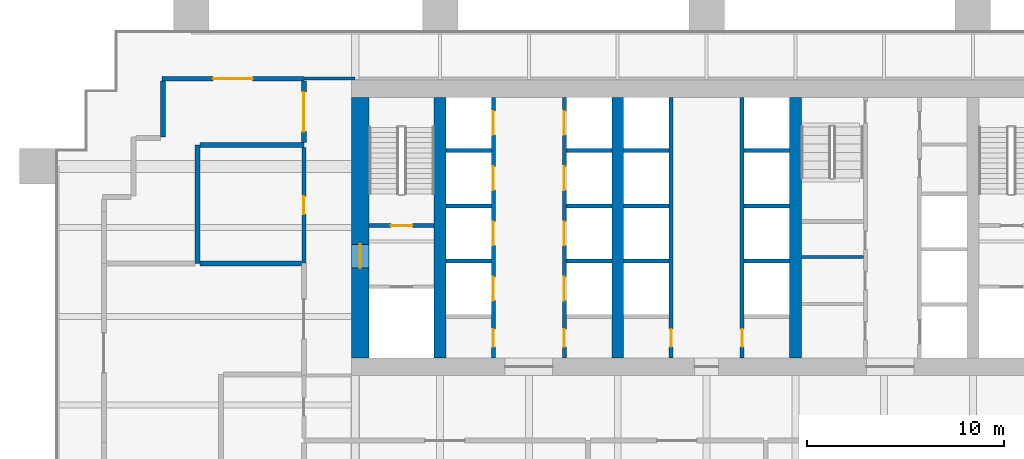
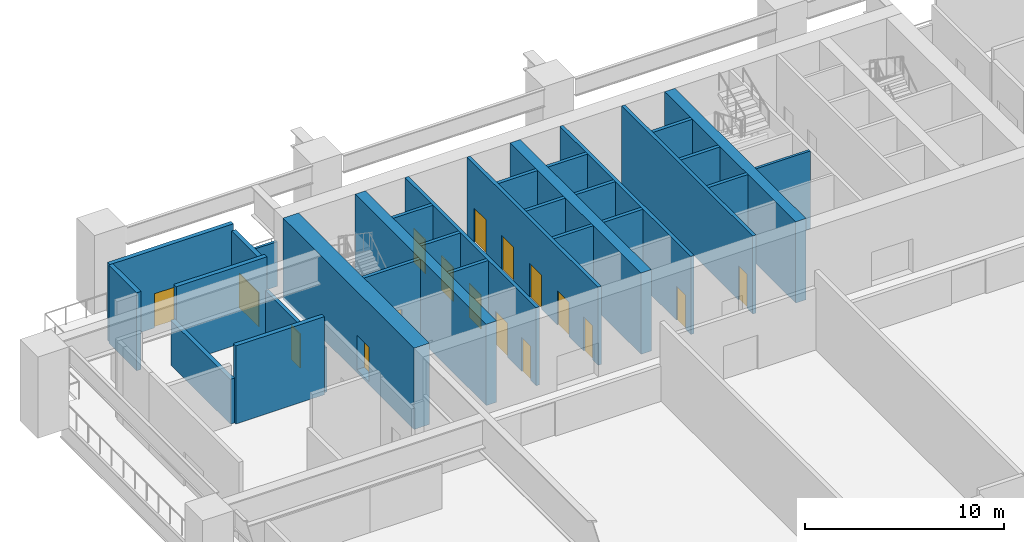
# One storey, part 4 of 11: 30 walls, 17 doors, 17 openings.
"""IFC4 building model written with IfcOpenShell, lengths in metres."""

from ifc_helpers import new_model, si_unit, direction, frame, frame_2d, origin, place, context, subcontext, project, spatial, rectangle, extrude, material, layer, layer_set, type_object, element, fill, save


model = new_model("IFC4")

# Units and contexts
model_context = context("Model", 3, precision=1e-05, world=origin(), true_north=direction((0.0, 1.0)))
body_context = subcontext(model_context, "Body", "Model", "MODEL_VIEW")
ifc_project = project(units=[si_unit("LENGTHUNIT", "METRE"), si_unit("AREAUNIT", "SQUARE_METRE"), si_unit("VOLUMEUNIT", "CUBIC_METRE"), si_unit("PLANEANGLEUNIT", "RADIAN"), si_unit("MASSUNIT", "GRAM", prefix="KILO")], contexts=[model_context])

# Site, building, storey
site_placement = place(None, origin())
site = spatial("IfcSite", under=ifc_project, at=site_placement, CompositionType="ELEMENT")
building_placement = place(site_placement, origin())
building = spatial("IfcBuilding", under=site, at=building_placement, Name="Rattan Terrace Tower", CompositionType="ELEMENT")
storey_placement = place(building_placement, frame((0.0, 0.0, 69.300048828125)))
storey = spatial("IfcBuildingStorey", under=building, at=storey_placement, Name="L15", CompositionType="ELEMENT", Elevation=69.300048828125)

# Wall
ifc_material_1 = material(Name="Gypsum board partition")
ifc_layer_1 = layer(ifc_material_1, 0.14990234375)
ifc_layer_set_1 = layer_set([ifc_layer_1], Name="Core partition 150")
wall_type_1 = type_object("IfcWallType", Name="Core partition 150", PredefinedType="PARTITIONING", material=ifc_layer_set_1)
wall_1_placement = place(storey_placement, frame((4.800048828125, -1.5, 0.0), z_axis=(0.0, 0.0, 1.0), x_axis=(1.0, 0.0, 0.0)))
element("IfcWall", 1, at=wall_1_placement, inside=storey, type_object=wall_type_1, Name="Toilet wall", PredefinedType="PARTITIONING", context=body_context, shape_type="SweptSolid", body=[
    extrude(rectangle(XDim=3.14990234375, YDim=0.14990234375, at=frame_2d((1.574951171875, 0.0))), origin(), (0.0, 0.0, 1.0), 4.800048828125),
])

# Wall, opening, door
ifc_material_2 = material(Name="Gypsum board partition")
ifc_layer_2 = layer(ifc_material_2, 0.199951171875)
ifc_layer_set_2 = layer_set([ifc_layer_2], Name="Core partition 200")
wall_type_2 = type_object("IfcWallType", Name="Core partition 200", PredefinedType="PARTITIONING", material=ifc_layer_set_2)
wall_2_placement = place(storey_placement, frame((-17.10009765625, 0.10009765625, 0.0), z_axis=(0.0, 0.0, 1.0), x_axis=(1.0, 0.0, 0.0)))
wall_2 = element("IfcWall", 2, at=wall_2_placement, inside=storey, type_object=wall_type_2, Name="Stair enclosure wall", PredefinedType="PARTITIONING", context=body_context, shape_type="SweptSolid", body=[
    extrude(rectangle(XDim=3.300048828125, YDim=0.199951171875, at=frame_2d((1.64990234375, 0.0))), origin(), (0.0, 0.0, 1.0), 4.800048828125),
])
opening_1_placement = place(wall_2_placement, frame((1.10009765625, 0.0, 0.0)))
opening_1 = element("IfcOpeningElement", 3, at=opening_1_placement, cuts=wall_2, Name="Opening L15-D002", PredefinedType="OPENING", context=body_context, shape_type="SweptSolid", body=[
    extrude(rectangle(XDim=1.10009765625, YDim=2.10009765625, at=frame_2d((0.550048828125, 1.050048828125))), frame((0.0, 0.110595703125, 0.0), z_axis=(0.0, -1.0, 0.0), x_axis=(1.0, 0.0, 0.0)), (0.0, 0.0, 1.0), 0.220947265625),
])
ifc_material_3 = material(Name="Hollow-metal fire door leaf")
door_type_1 = type_object("IfcDoorType", Name="Core stair door 1100", OperationType="NOTDEFINED", PredefinedType="DOOR", material=ifc_material_3)
door_1_placement = place(opening_1_placement, origin())
door_1 = element("IfcDoor", 4, at=door_1_placement, inside=storey, type_object=door_type_1, Name="Door L15-D002", OperationType="SINGLE_SWING_LEFT", OverallHeight=2.10009765625, OverallWidth=1.10009765625, PredefinedType="DOOR", context=body_context, shape_type="SweptSolid", body=[
    extrude(rectangle(XDim=1.10009765625, YDim=2.10009765625, at=frame_2d((0.550048828125, 1.050048828125))), frame((0.0, 0.02490234375, 0.0), z_axis=(0.0, -1.0, 0.0), x_axis=(1.0, 0.0, 0.0)), (0.0, 0.0, 1.0), 0.050048828125),
])
fill(opening_1, door_1)

ifc_material_4 = material(Name="Concrete C70/85", Category="concrete")
ifc_layer_3 = layer(ifc_material_4, 0.89990234375)
ifc_layer_set_3 = layer_set([ifc_layer_3], Name="Core ring wall 900 C70/85")
wall_type_3 = type_object("IfcWallType", Name="Core ring wall 900 C70/85", PredefinedType="SHEAR", material=ifc_layer_set_3)
wall_3_placement = place(storey_placement, frame((-17.550048828125, -6.60009765625, -0.199951171875), z_axis=(0.0, 0.0, 1.0), x_axis=(0.0, 1.0, 0.0)))
wall_3 = element("IfcWall", 5, at=wall_3_placement, inside=storey, type_object=wall_type_3, Name="Rear core wall west", PredefinedType="SHEAR", context=body_context, shape_type="SweptSolid", body=[
    extrude(rectangle(XDim=13.2001953125, YDim=0.89990234375, at=frame_2d((6.60009765625, 0.0))), origin(), (0.0, 0.0, 1.0), 5.0),
])
opening_2_placement = place(wall_3_placement, frame((4.550048828125, 0.0, 0.199951171875)))
opening_2 = element("IfcOpeningElement", 6, at=opening_2_placement, cuts=wall_3, Name="Opening L15-D001", PredefinedType="OPENING", context=body_context, shape_type="SweptSolid", body=[
    extrude(rectangle(XDim=1.199951171875, YDim=2.10009765625, at=frame_2d((0.60009765625, 1.050048828125))), frame((0.0, 0.46044921875, 0.0), z_axis=(0.0, -1.0, 0.0), x_axis=(1.0, 0.0, 0.0)), (0.0, 0.0, 1.0), 0.9208984375),
])
ifc_material_5 = material(Name="Hollow-metal fire door leaf")
door_type_2 = type_object("IfcDoorType", Name="Core fire-fighting lobby door 1200", OperationType="NOTDEFINED", PredefinedType="DOOR", material=ifc_material_5)
door_2_placement = place(opening_2_placement, origin())
door_2 = element("IfcDoor", 7, at=door_2_placement, inside=storey, type_object=door_type_2, Name="Door L15-D001", OperationType="SINGLE_SWING_RIGHT", OverallHeight=2.10009765625, OverallWidth=1.199951171875, PredefinedType="DOOR", context=body_context, shape_type="SweptSolid", body=[
    extrude(rectangle(XDim=1.199951171875, YDim=2.10009765625, at=frame_2d((0.60009765625, 1.050048828125))), frame((0.0, 0.02490234375, 0.0), z_axis=(0.0, -1.0, 0.0), x_axis=(1.0, 0.0, 0.0)), (0.0, 0.0, 1.0), 0.050048828125),
])
fill(opening_2, door_2)

# Walls
ifc_material_6 = material(Name="Concrete C70/85", Category="concrete")
ifc_layer_4 = layer(ifc_material_6, 0.60009765625)
ifc_layer_set_4 = layer_set([ifc_layer_4], Name="Core spine wall 600 C70/85")
wall_type_4 = type_object("IfcWallType", Name="Core spine wall 600 C70/85", PredefinedType="SHEAR", material=ifc_layer_set_4)
for number, where, z_axis, x_axis, name in (
    (8, (-13.5, -6.60009765625, -0.199951171875), (0.0, 0.0, 1.0), (0.0, 1.0, 0.0), "Core spine wall 1"),
    (9, (-4.5, -6.60009765625, -0.199951171875), (0.0, 0.0, 1.0), (0.0, 1.0, 0.0), "Core spine wall 2"),
    (10, (4.5, -6.60009765625, -0.199951171875), (0.0, 0.0, 1.0), (0.0, 1.0, 0.0), "Core spine wall 3"),
):
    element("IfcWall", number, at=place(storey_placement, frame(where, z_axis=z_axis, x_axis=x_axis)), inside=storey, type_object=wall_type_4, Name=name, PredefinedType="SHEAR", context=body_context, shape_type="SweptSolid", body=[
        extrude(rectangle(XDim=13.2001953125, YDim=0.60009765625, at=frame_2d((6.60009765625, 0.0))), origin(), (0.0, 0.0, 1.0), 5.0),
    ])

# Wall, opening, door
ifc_material_7 = material(Name="Concrete block wall, plastered", Category="concrete")
ifc_layer_5 = layer(ifc_material_7, 0.199951171875)
ifc_layer_set_5 = layer_set([ifc_layer_5], Name="Floors Plant Wall 200")
wall_type_5 = type_object("IfcWallType", Name="Floors Plant Wall 200", PredefinedType="PARTITIONING", material=ifc_layer_set_5)
wall_4_placement = place(storey_placement, frame((-20.39892578125, -1.798095703125, 0.0), z_axis=(0.0, 0.0, 1.0), x_axis=(0.0, 1.0, 0.0)))
wall_4 = element("IfcWall", 11, at=wall_4_placement, inside=storey, type_object=wall_type_5, Name="pt-L15-009", PredefinedType="PARTITIONING", context=body_context, shape_type="SweptSolid", body=[
    extrude(rectangle(XDim=5.856201171875, YDim=0.199951171875, at=frame_2d((2.92822265625, 0.0))), origin(), (0.0, 0.0, 1.0), 2.75),
])
opening_3_placement = place(wall_4_placement, frame((2.47802734375, 0.0, 0.0)))
opening_3 = element("IfcOpeningElement", 12, at=opening_3_placement, cuts=wall_4, Name="Opening L15-D104", PredefinedType="OPENING", context=body_context, shape_type="SweptSolid", body=[
    extrude(rectangle(XDim=0.89990234375, YDim=2.10009765625, at=frame_2d((0.449951171875, 1.050048828125))), frame((0.0, 0.110595703125, 0.0), z_axis=(0.0, -1.0, 0.0), x_axis=(1.0, 0.0, 0.0)), (0.0, 0.0, 1.0), 0.220947265625),
])
ifc_material_8 = material(Name="Steel fire door set", Category="steel")
door_type_3 = type_object("IfcDoorType", Name="Floors Fire Door FD60 900x2100", OperationType="NOTDEFINED", PredefinedType="DOOR", material=ifc_material_8)
door_3_placement = place(opening_3_placement, origin())
door_3 = element("IfcDoor", 13, at=door_3_placement, inside=storey, type_object=door_type_3, Name="d-L15-104", OperationType="SINGLE_SWING_LEFT", OverallHeight=2.10009765625, OverallWidth=0.89990234375, PredefinedType="DOOR", context=body_context, shape_type="SweptSolid", body=[
    extrude(rectangle(XDim=0.89990234375, YDim=2.10009765625, at=frame_2d((0.449951171875, 1.050048828125))), frame((0.0, 0.02490234375, 0.0), z_axis=(0.0, -1.0, 0.0), x_axis=(1.0, 0.0, 0.0)), (0.0, 0.0, 1.0), 0.050048828125),
])
fill(opening_3, door_3)

ifc_material_9 = material(Name="Reinforced concrete wall, painted", Category="concrete")
ifc_layer_6 = layer(ifc_material_9, 0.25)
ifc_layer_set_6 = layer_set([ifc_layer_6], Name="Floors Refuge Wall 250")
wall_type_6 = type_object("IfcWallType", Name="Floors Refuge Wall 250", PredefinedType="PARTITIONING", material=ifc_layer_set_6)
wall_5_placement = place(storey_placement, frame((-20.39697265625, 4.30810546875, 0.0), z_axis=(0.0, 0.0, 1.0), x_axis=(0.0, 1.0, 0.0)))
wall_5 = element("IfcWall", 14, at=wall_5_placement, inside=storey, type_object=wall_type_6, Name="pt-L15-010", PredefinedType="PARTITIONING", context=body_context, shape_type="SweptSolid", body=[
    extrude(rectangle(XDim=3.10595703125, YDim=0.25, at=frame_2d((1.552978515625, 0.0))), origin(), (0.0, 0.0, 1.0), 4.39990234375),
])
opening_4_placement = place(wall_5_placement, frame((0.552978515625, 0.0, 0.0)))
opening_4 = element("IfcOpeningElement", 15, at=opening_4_placement, cuts=wall_5, Name="Opening L15-D105", PredefinedType="OPENING", context=body_context, shape_type="SweptSolid", body=[
    extrude(rectangle(XDim=2.0, YDim=2.10009765625, at=frame_2d((1.0, 1.050048828125))), frame((0.0, 0.135498046875, 0.0), z_axis=(0.0, -1.0, 0.0), x_axis=(1.0, 0.0, 0.0)), (0.0, 0.0, 1.0), 0.27099609375),
])
ifc_material_10 = material(Name="Steel fire door set", Category="steel")
door_type_4 = type_object("IfcDoorType", Name="Floors Plant Equipment Door Pair FD120 2000x2100", OperationType="NOTDEFINED", PredefinedType="DOOR", material=ifc_material_10)
door_4_placement = place(opening_4_placement, origin())
door_4 = element("IfcDoor", 16, at=door_4_placement, inside=storey, type_object=door_type_4, Name="d-L15-105", OperationType="DOUBLE_DOOR_SINGLE_SWING", OverallHeight=2.10009765625, OverallWidth=2.0, PredefinedType="DOOR", context=body_context, shape_type="SweptSolid", body=[
    extrude(rectangle(XDim=2.0, YDim=2.10009765625, at=frame_2d((1.0, 1.050048828125))), frame((0.0, 0.02490234375, 0.0), z_axis=(0.0, -1.0, 0.0), x_axis=(1.0, 0.0, 0.0)), (0.0, 0.0, 1.0), 0.050048828125),
])
fill(opening_4, door_4)

# Walls
wall_6_placement = place(storey_placement, frame((-25.675048828125, -1.818115234375, 0.0), z_axis=(0.0, 0.0, 1.0), x_axis=(1.0, 0.0, 0.0)))
element("IfcWall", 17, at=wall_6_placement, inside=storey, type_object=wall_type_6, Name="pt-L15-020", PredefinedType="PARTITIONING", context=body_context, shape_type="SweptSolid", body=[
    extrude(rectangle(XDim=5.150146484375, YDim=0.25, at=frame_2d((2.5751953125, 0.0))), origin(), (0.0, 0.0, 1.0), 4.800048828125),
])
wall_7_placement = place(storey_placement, frame((-25.800048828125, -1.818115234375, 0.0), z_axis=(0.0, 0.0, 1.0), x_axis=(0.0, 1.0, 0.0)))
element("IfcWall", 18, at=wall_7_placement, inside=storey, type_object=wall_type_6, Name="pt-L15-025", PredefinedType="PARTITIONING", context=body_context, shape_type="SweptSolid", body=[
    extrude(rectangle(XDim=6.0, YDim=0.25, at=frame_2d((3.0, 0.0))), origin(), (0.0, 0.0, 1.0), 2.75),
])
wall_8_placement = place(storey_placement, frame((-25.675048828125, 4.18310546875, 0.0), z_axis=(0.0, 0.0, 1.0), x_axis=(1.0, 0.0, 0.0)))
element("IfcWall", 19, at=wall_8_placement, inside=storey, type_object=wall_type_6, Name="pt-L15-026", PredefinedType="PARTITIONING", context=body_context, shape_type="SweptSolid", body=[
    extrude(rectangle(XDim=5.275146484375, YDim=0.25, at=frame_2d((2.6376953125, 0.0))), origin(), (0.0, 0.0, 1.0), 4.800048828125),
])

# Wall, opening, door
wall_9_placement = place(storey_placement, frame((-20.39990234375, 7.5390625, 0.0), z_axis=(0.0, 0.0, 1.0), x_axis=(-1.0, 0.0, 0.0)))
wall_9 = element("IfcWall", 20, at=wall_9_placement, inside=storey, type_object=wall_type_6, Name="pt-L15-032", PredefinedType="PARTITIONING", context=body_context, shape_type="SweptSolid", body=[
    extrude(rectangle(XDim=7.2001953125, YDim=0.25, at=frame_2d((3.60009765625, 0.0))), origin(), (0.0, 0.0, 1.0), 4.800048828125),
])
opening_5_placement = place(wall_9_placement, frame((2.60009765625, 0.0, 0.0)))
opening_5 = element("IfcOpeningElement", 21, at=opening_5_placement, cuts=wall_9, Name="Opening L15-D106", PredefinedType="OPENING", context=body_context, shape_type="SweptSolid", body=[
    extrude(rectangle(XDim=2.0, YDim=2.10009765625, at=frame_2d((1.0, 1.050048828125))), frame((0.0, 0.135498046875, 0.0), z_axis=(0.0, -1.0, 0.0), x_axis=(1.0, 0.0, 0.0)), (0.0, 0.0, 1.0), 0.27099609375),
])
door_5_placement = place(opening_5_placement, origin())
door_5 = element("IfcDoor", 22, at=door_5_placement, inside=storey, type_object=door_type_4, Name="d-L15-106", OperationType="DOUBLE_DOOR_SINGLE_SWING", OverallHeight=2.10009765625, OverallWidth=2.0, PredefinedType="DOOR", context=body_context, shape_type="SweptSolid", body=[
    extrude(rectangle(XDim=2.0, YDim=2.10009765625, at=frame_2d((1.0, 1.050048828125))), frame((0.0, 0.02490234375, 0.0), z_axis=(0.0, -1.0, 0.0), x_axis=(1.0, 0.0, 0.0)), (0.0, 0.0, 1.0), 0.050048828125),
])
fill(opening_5, door_5)

# Walls
wall_10_placement = place(storey_placement, frame((-27.5390625, 4.60009765625, 0.0), z_axis=(0.0, 0.0, 1.0), x_axis=(0.0, 1.0, 0.0)))
element("IfcWall", 23, at=wall_10_placement, inside=storey, type_object=wall_type_6, Name="pt-L15-033", PredefinedType="PARTITIONING", context=body_context, shape_type="SweptSolid", body=[
    extrude(rectangle(XDim=2.81396484375, YDim=0.25, at=frame_2d((1.406982421875, 0.0))), origin(), (0.0, 0.0, 1.0), 4.800048828125),
])
ifc_material_11 = material(Name="Gypsum board partition on steel studs, fire rated", Category="steel")
ifc_layer_7 = layer(ifc_material_11, 0.14990234375)
ifc_layer_set_7 = layer_set([ifc_layer_7], Name="Floors Tenancy Wall 150")
wall_type_7 = type_object("IfcWallType", Name="Floors Tenancy Wall 150", PredefinedType="PARTITIONING", material=ifc_layer_set_7)
wall_11_placement = place(storey_placement, frame((-20.39990234375, 7.56396484375, 0.0), z_axis=(0.0, 0.0, 1.0), x_axis=(1.0, 0.0, 0.0)))
element("IfcWall", 24, at=wall_11_placement, inside=storey, type_object=wall_type_7, Name="pt-L15-015", PredefinedType="PARTITIONING", context=body_context, shape_type="SweptSolid", body=[
    extrude(rectangle(XDim=2.579833984375, YDim=0.14990234375, at=frame_2d((1.2900390625, 0.0))), origin(), (0.0, 0.0, 1.0), 2.75),
])

# Wall, openings, doors
ifc_material_12 = material(Name="Gypsum shaft wall system")
ifc_layer_8 = layer(ifc_material_12, 0.199951171875)
ifc_layer_set_8 = layer_set([ifc_layer_8], Name="Lift shaft wall 200")
wall_type_8 = type_object("IfcWallType", Name="Lift shaft wall 200", PredefinedType="PARTITIONING", material=ifc_layer_set_8)
wall_12_placement = place(storey_placement, frame((-10.800048828125, -6.60009765625, 0.0), z_axis=(0.0, 0.0, 1.0), x_axis=(0.0, 1.0, 0.0)))
wall_12 = element("IfcWall", 25, at=wall_12_placement, inside=storey, type_object=wall_type_8, Name="Lift shaft front wall", PredefinedType="PARTITIONING", context=body_context, shape_type="SweptSolid", body=[
    extrude(rectangle(XDim=13.2001953125, YDim=0.199951171875, at=frame_2d((6.60009765625, 0.0))), origin(), (0.0, 0.0, 1.0), 4.800048828125),
])
opening_6_placement = place(wall_12_placement, frame((0.550048828125, 0.0, 0.0)))
opening_6 = element("IfcOpeningElement", 26, at=opening_6_placement, cuts=wall_12, Name="Opening L15-D005", PredefinedType="OPENING", context=body_context, shape_type="SweptSolid", body=[
    extrude(rectangle(XDim=0.89990234375, YDim=2.10009765625, at=frame_2d((0.449951171875, 1.050048828125))), frame((0.0, 0.110595703125, 0.0), z_axis=(0.0, -1.0, 0.0), x_axis=(1.0, 0.0, 0.0)), (0.0, 0.0, 1.0), 0.220947265625),
])
opening_7_placement = place(wall_12_placement, frame((2.89990234375, 0.0, 0.0)))
opening_7 = element("IfcOpeningElement", 27, at=opening_7_placement, cuts=wall_12, Name="Opening L15-LD-LR1", PredefinedType="OPENING", context=body_context, shape_type="SweptSolid", body=[
    extrude(rectangle(XDim=1.199951171875, YDim=2.10009765625, at=frame_2d((0.60009765625, 1.050048828125))), frame((0.0, 0.110595703125, 0.0), z_axis=(0.0, -1.0, 0.0), x_axis=(1.0, 0.0, 0.0)), (0.0, 0.0, 1.0), 0.220947265625),
])
opening_8_placement = place(wall_12_placement, frame((5.699951171875, 0.0, 0.0)))
opening_8 = element("IfcOpeningElement", 28, at=opening_8_placement, cuts=wall_12, Name="Opening L15-LD-LR2", PredefinedType="OPENING", context=body_context, shape_type="SweptSolid", body=[
    extrude(rectangle(XDim=1.199951171875, YDim=2.10009765625, at=frame_2d((0.60009765625, 1.050048828125))), frame((0.0, 0.110595703125, 0.0), z_axis=(0.0, -1.0, 0.0), x_axis=(1.0, 0.0, 0.0)), (0.0, 0.0, 1.0), 0.220947265625),
])
opening_9_placement = place(wall_12_placement, frame((8.5, 0.0, 0.0)))
opening_9 = element("IfcOpeningElement", 29, at=opening_9_placement, cuts=wall_12, Name="Opening L15-LD-LR3", PredefinedType="OPENING", context=body_context, shape_type="SweptSolid", body=[
    extrude(rectangle(XDim=1.199951171875, YDim=2.10009765625, at=frame_2d((0.60009765625, 1.050048828125))), frame((0.0, 0.110595703125, 0.0), z_axis=(0.0, -1.0, 0.0), x_axis=(1.0, 0.0, 0.0)), (0.0, 0.0, 1.0), 0.220947265625),
])
opening_10_placement = place(wall_12_placement, frame((11.300048828125, 0.0, 0.0)))
opening_10 = element("IfcOpeningElement", 30, at=opening_10_placement, cuts=wall_12, Name="Opening L15-LD-LR4", PredefinedType="OPENING", context=body_context, shape_type="SweptSolid", body=[
    extrude(rectangle(XDim=1.199951171875, YDim=2.10009765625, at=frame_2d((0.60009765625, 1.050048828125))), frame((0.0, 0.110595703125, 0.0), z_axis=(0.0, -1.0, 0.0), x_axis=(1.0, 0.0, 0.0)), (0.0, 0.0, 1.0), 0.220947265625),
])
ifc_material_13 = material(Name="Brushed stainless landing door panel")
door_type_5 = type_object("IfcDoorType", Name="Core lift landing door 1200", OperationType="DOUBLE_DOOR_SLIDING", PredefinedType="DOOR", material=ifc_material_13)
door_6_placement = place(opening_7_placement, origin())
door_6 = element("IfcDoor", 31, at=door_6_placement, inside=storey, type_object=door_type_5, Name="Door L15-LD-LR1", OperationType="DOUBLE_DOOR_SLIDING", OverallHeight=2.10009765625, OverallWidth=1.199951171875, PredefinedType="DOOR", context=body_context, shape_type="SweptSolid", body=[
    extrude(rectangle(XDim=1.199951171875, YDim=2.10009765625, at=frame_2d((0.60009765625, 1.050048828125))), frame((0.0, 0.02490234375, 0.0), z_axis=(0.0, -1.0, 0.0), x_axis=(1.0, 0.0, 0.0)), (0.0, 0.0, 1.0), 0.050048828125),
])
fill(opening_7, door_6)
door_7_placement = place(opening_8_placement, origin())
door_7 = element("IfcDoor", 32, at=door_7_placement, inside=storey, type_object=door_type_5, Name="Door L15-LD-LR2", OperationType="DOUBLE_DOOR_SLIDING", OverallHeight=2.10009765625, OverallWidth=1.199951171875, PredefinedType="DOOR", context=body_context, shape_type="SweptSolid", body=[
    extrude(rectangle(XDim=1.199951171875, YDim=2.10009765625, at=frame_2d((0.60009765625, 1.050048828125))), frame((0.0, 0.02490234375, 0.0), z_axis=(0.0, -1.0, 0.0), x_axis=(1.0, 0.0, 0.0)), (0.0, 0.0, 1.0), 0.050048828125),
])
fill(opening_8, door_7)
door_8_placement = place(opening_9_placement, origin())
door_8 = element("IfcDoor", 33, at=door_8_placement, inside=storey, type_object=door_type_5, Name="Door L15-LD-LR3", OperationType="DOUBLE_DOOR_SLIDING", OverallHeight=2.10009765625, OverallWidth=1.199951171875, PredefinedType="DOOR", context=body_context, shape_type="SweptSolid", body=[
    extrude(rectangle(XDim=1.199951171875, YDim=2.10009765625, at=frame_2d((0.60009765625, 1.050048828125))), frame((0.0, 0.02490234375, 0.0), z_axis=(0.0, -1.0, 0.0), x_axis=(1.0, 0.0, 0.0)), (0.0, 0.0, 1.0), 0.050048828125),
])
fill(opening_9, door_8)
door_9_placement = place(opening_10_placement, origin())
door_9 = element("IfcDoor", 34, at=door_9_placement, inside=storey, type_object=door_type_5, Name="Door L15-LD-LR4", OperationType="DOUBLE_DOOR_SLIDING", OverallHeight=2.10009765625, OverallWidth=1.199951171875, PredefinedType="DOOR", context=body_context, shape_type="SweptSolid", body=[
    extrude(rectangle(XDim=1.199951171875, YDim=2.10009765625, at=frame_2d((0.60009765625, 1.050048828125))), frame((0.0, 0.02490234375, 0.0), z_axis=(0.0, -1.0, 0.0), x_axis=(1.0, 0.0, 0.0)), (0.0, 0.0, 1.0), 0.050048828125),
])
fill(opening_10, door_9)
ifc_material_14 = material(Name="Hollow-metal fire door leaf")
door_type_6 = type_object("IfcDoorType", Name="Core riser door 900", OperationType="NOTDEFINED", PredefinedType="DOOR", material=ifc_material_14)
door_10_placement = place(opening_6_placement, origin())
door_10 = element("IfcDoor", 35, at=door_10_placement, inside=storey, type_object=door_type_6, Name="Door L15-D005", OperationType="SINGLE_SWING_RIGHT", OverallHeight=2.10009765625, OverallWidth=0.89990234375, PredefinedType="DOOR", context=body_context, shape_type="SweptSolid", body=[
    extrude(rectangle(XDim=0.89990234375, YDim=2.10009765625, at=frame_2d((0.449951171875, 1.050048828125))), frame((0.0, 0.02490234375, 0.0), z_axis=(0.0, -1.0, 0.0), x_axis=(1.0, 0.0, 0.0)), (0.0, 0.0, 1.0), 0.050048828125),
])
fill(opening_6, door_10)

wall_13_placement = place(storey_placement, frame((-7.199951171875, -6.60009765625, 0.0), z_axis=(0.0, 0.0, 1.0), x_axis=(0.0, 1.0, 0.0)))
wall_13 = element("IfcWall", 36, at=wall_13_placement, inside=storey, type_object=wall_type_8, Name="Lift shaft front wall", PredefinedType="PARTITIONING", context=body_context, shape_type="SweptSolid", body=[
    extrude(rectangle(XDim=13.2001953125, YDim=0.199951171875, at=frame_2d((6.60009765625, 0.0))), origin(), (0.0, 0.0, 1.0), 4.800048828125),
])
opening_11_placement = place(wall_13_placement, frame((0.550048828125, 0.0, 0.0)))
opening_11 = element("IfcOpeningElement", 37, at=opening_11_placement, cuts=wall_13, Name="Opening L15-D006", PredefinedType="OPENING", context=body_context, shape_type="SweptSolid", body=[
    extrude(rectangle(XDim=0.89990234375, YDim=2.10009765625, at=frame_2d((0.449951171875, 1.050048828125))), frame((0.0, 0.110595703125, 0.0), z_axis=(0.0, -1.0, 0.0), x_axis=(1.0, 0.0, 0.0)), (0.0, 0.0, 1.0), 0.220947265625),
])
opening_12_placement = place(wall_13_placement, frame((2.89990234375, 0.0, 0.0)))
opening_12 = element("IfcOpeningElement", 38, at=opening_12_placement, cuts=wall_13, Name="Opening L15-LD-LR5", PredefinedType="OPENING", context=body_context, shape_type="SweptSolid", body=[
    extrude(rectangle(XDim=1.199951171875, YDim=2.10009765625, at=frame_2d((0.60009765625, 1.050048828125))), frame((0.0, 0.110595703125, 0.0), z_axis=(0.0, -1.0, 0.0), x_axis=(1.0, 0.0, 0.0)), (0.0, 0.0, 1.0), 0.220947265625),
])
opening_13_placement = place(wall_13_placement, frame((5.699951171875, 0.0, 0.0)))
opening_13 = element("IfcOpeningElement", 39, at=opening_13_placement, cuts=wall_13, Name="Opening L15-LD-LR6", PredefinedType="OPENING", context=body_context, shape_type="SweptSolid", body=[
    extrude(rectangle(XDim=1.199951171875, YDim=2.10009765625, at=frame_2d((0.60009765625, 1.050048828125))), frame((0.0, 0.110595703125, 0.0), z_axis=(0.0, -1.0, 0.0), x_axis=(1.0, 0.0, 0.0)), (0.0, 0.0, 1.0), 0.220947265625),
])
opening_14_placement = place(wall_13_placement, frame((8.5, 0.0, 0.0)))
opening_14 = element("IfcOpeningElement", 40, at=opening_14_placement, cuts=wall_13, Name="Opening L15-LD-LR7", PredefinedType="OPENING", context=body_context, shape_type="SweptSolid", body=[
    extrude(rectangle(XDim=1.199951171875, YDim=2.10009765625, at=frame_2d((0.60009765625, 1.050048828125))), frame((0.0, 0.110595703125, 0.0), z_axis=(0.0, -1.0, 0.0), x_axis=(1.0, 0.0, 0.0)), (0.0, 0.0, 1.0), 0.220947265625),
])
opening_15_placement = place(wall_13_placement, frame((11.300048828125, 0.0, 0.0)))
opening_15 = element("IfcOpeningElement", 41, at=opening_15_placement, cuts=wall_13, Name="Opening L15-LD-LR8", PredefinedType="OPENING", context=body_context, shape_type="SweptSolid", body=[
    extrude(rectangle(XDim=1.199951171875, YDim=2.10009765625, at=frame_2d((0.60009765625, 1.050048828125))), frame((0.0, 0.110595703125, 0.0), z_axis=(0.0, -1.0, 0.0), x_axis=(1.0, 0.0, 0.0)), (0.0, 0.0, 1.0), 0.220947265625),
])
door_11_placement = place(opening_12_placement, origin())
door_11 = element("IfcDoor", 42, at=door_11_placement, inside=storey, type_object=door_type_5, Name="Door L15-LD-LR5", OperationType="DOUBLE_DOOR_SLIDING", OverallHeight=2.10009765625, OverallWidth=1.199951171875, PredefinedType="DOOR", context=body_context, shape_type="SweptSolid", body=[
    extrude(rectangle(XDim=1.199951171875, YDim=2.10009765625, at=frame_2d((0.60009765625, 1.050048828125))), frame((0.0, 0.02490234375, 0.0), z_axis=(0.0, -1.0, 0.0), x_axis=(1.0, 0.0, 0.0)), (0.0, 0.0, 1.0), 0.050048828125),
])
fill(opening_12, door_11)
door_12_placement = place(opening_13_placement, origin())
door_12 = element("IfcDoor", 43, at=door_12_placement, inside=storey, type_object=door_type_5, Name="Door L15-LD-LR6", OperationType="DOUBLE_DOOR_SLIDING", OverallHeight=2.10009765625, OverallWidth=1.199951171875, PredefinedType="DOOR", context=body_context, shape_type="SweptSolid", body=[
    extrude(rectangle(XDim=1.199951171875, YDim=2.10009765625, at=frame_2d((0.60009765625, 1.050048828125))), frame((0.0, 0.02490234375, 0.0), z_axis=(0.0, -1.0, 0.0), x_axis=(1.0, 0.0, 0.0)), (0.0, 0.0, 1.0), 0.050048828125),
])
fill(opening_13, door_12)
door_13_placement = place(opening_14_placement, origin())
door_13 = element("IfcDoor", 44, at=door_13_placement, inside=storey, type_object=door_type_5, Name="Door L15-LD-LR7", OperationType="DOUBLE_DOOR_SLIDING", OverallHeight=2.10009765625, OverallWidth=1.199951171875, PredefinedType="DOOR", context=body_context, shape_type="SweptSolid", body=[
    extrude(rectangle(XDim=1.199951171875, YDim=2.10009765625, at=frame_2d((0.60009765625, 1.050048828125))), frame((0.0, 0.02490234375, 0.0), z_axis=(0.0, -1.0, 0.0), x_axis=(1.0, 0.0, 0.0)), (0.0, 0.0, 1.0), 0.050048828125),
])
fill(opening_14, door_13)
door_14_placement = place(opening_15_placement, origin())
door_14 = element("IfcDoor", 45, at=door_14_placement, inside=storey, type_object=door_type_5, Name="Door L15-LD-LR8", OperationType="DOUBLE_DOOR_SLIDING", OverallHeight=2.10009765625, OverallWidth=1.199951171875, PredefinedType="DOOR", context=body_context, shape_type="SweptSolid", body=[
    extrude(rectangle(XDim=1.199951171875, YDim=2.10009765625, at=frame_2d((0.60009765625, 1.050048828125))), frame((0.0, 0.02490234375, 0.0), z_axis=(0.0, -1.0, 0.0), x_axis=(1.0, 0.0, 0.0)), (0.0, 0.0, 1.0), 0.050048828125),
])
fill(opening_15, door_14)
door_15_placement = place(opening_11_placement, origin())
door_15 = element("IfcDoor", 46, at=door_15_placement, inside=storey, type_object=door_type_6, Name="Door L15-D006", OperationType="SINGLE_SWING_LEFT", OverallHeight=2.10009765625, OverallWidth=0.89990234375, PredefinedType="DOOR", context=body_context, shape_type="SweptSolid", body=[
    extrude(rectangle(XDim=0.89990234375, YDim=2.10009765625, at=frame_2d((0.449951171875, 1.050048828125))), frame((0.0, 0.02490234375, 0.0), z_axis=(0.0, -1.0, 0.0), x_axis=(1.0, 0.0, 0.0)), (0.0, 0.0, 1.0), 0.050048828125),
])
fill(opening_11, door_15)

# Walls
for number, where, z_axis, x_axis, name in (
    (47, (-13.199951171875, -1.699951171875, 0.0), (0.0, 0.0, 1.0), (1.0, 0.0, 0.0), "Lift shaft wall"),
    (48, (-13.199951171875, 1.10009765625, 0.0), (0.0, 0.0, 1.0), (1.0, 0.0, 0.0), "Lift shaft wall"),
    (49, (-13.199951171875, 3.89990234375, 0.0), (0.0, 0.0, 1.0), (1.0, 0.0, 0.0), "Lift shaft wall"),
    (50, (-7.10009765625, -1.699951171875, 0.0), (0.0, 0.0, 1.0), (1.0, 0.0, 0.0), "Lift shaft wall"),
    (51, (-7.10009765625, 1.10009765625, 0.0), (0.0, 0.0, 1.0), (1.0, 0.0, 0.0), "Lift shaft wall"),
    (52, (-7.10009765625, 3.89990234375, 0.0), (0.0, 0.0, 1.0), (1.0, 0.0, 0.0), "Lift shaft wall"),
):
    element("IfcWall", number, at=place(storey_placement, frame(where, z_axis=z_axis, x_axis=x_axis)), inside=storey, type_object=wall_type_8, Name=name, PredefinedType="PARTITIONING", context=body_context, shape_type="SweptSolid", body=[
        extrude(rectangle(XDim=2.300048828125, YDim=0.199951171875, at=frame_2d((1.14990234375, 0.0))), origin(), (0.0, 0.0, 1.0), 4.800048828125),
    ])

# Wall, opening, door
wall_14_placement = place(storey_placement, frame((-1.800048828125, -6.60009765625, 0.0), z_axis=(0.0, 0.0, 1.0), x_axis=(0.0, 1.0, 0.0)))
wall_14 = element("IfcWall", 53, at=wall_14_placement, inside=storey, type_object=wall_type_8, Name="Lift shaft front wall", PredefinedType="PARTITIONING", context=body_context, shape_type="SweptSolid", body=[
    extrude(rectangle(XDim=13.2001953125, YDim=0.199951171875, at=frame_2d((6.60009765625, 0.0))), origin(), (0.0, 0.0, 1.0), 4.800048828125),
])
opening_16_placement = place(wall_14_placement, frame((0.550048828125, 0.0, 0.0)))
opening_16 = element("IfcOpeningElement", 54, at=opening_16_placement, cuts=wall_14, Name="Opening L15-D008", PredefinedType="OPENING", context=body_context, shape_type="SweptSolid", body=[
    extrude(rectangle(XDim=0.89990234375, YDim=2.10009765625, at=frame_2d((0.449951171875, 1.050048828125))), frame((0.0, 0.110595703125, 0.0), z_axis=(0.0, -1.0, 0.0), x_axis=(1.0, 0.0, 0.0)), (0.0, 0.0, 1.0), 0.220947265625),
])
door_16_placement = place(opening_16_placement, origin())
door_16 = element("IfcDoor", 55, at=door_16_placement, inside=storey, type_object=door_type_6, Name="Door L15-D008", OperationType="SINGLE_SWING_RIGHT", OverallHeight=2.10009765625, OverallWidth=0.89990234375, PredefinedType="DOOR", context=body_context, shape_type="SweptSolid", body=[
    extrude(rectangle(XDim=0.89990234375, YDim=2.10009765625, at=frame_2d((0.449951171875, 1.050048828125))), frame((0.0, 0.02490234375, 0.0), z_axis=(0.0, -1.0, 0.0), x_axis=(1.0, 0.0, 0.0)), (0.0, 0.0, 1.0), 0.050048828125),
])
fill(opening_16, door_16)

wall_15_placement = place(storey_placement, frame((1.800048828125, -6.60009765625, 0.0), z_axis=(0.0, 0.0, 1.0), x_axis=(0.0, 1.0, 0.0)))
wall_15 = element("IfcWall", 56, at=wall_15_placement, inside=storey, type_object=wall_type_8, Name="Lift shaft front wall", PredefinedType="PARTITIONING", context=body_context, shape_type="SweptSolid", body=[
    extrude(rectangle(XDim=13.2001953125, YDim=0.199951171875, at=frame_2d((6.60009765625, 0.0))), origin(), (0.0, 0.0, 1.0), 4.800048828125),
])
opening_17_placement = place(wall_15_placement, frame((0.550048828125, 0.0, 0.0)))
opening_17 = element("IfcOpeningElement", 57, at=opening_17_placement, cuts=wall_15, Name="Opening L15-D009", PredefinedType="OPENING", context=body_context, shape_type="SweptSolid", body=[
    extrude(rectangle(XDim=0.89990234375, YDim=2.10009765625, at=frame_2d((0.449951171875, 1.050048828125))), frame((0.0, 0.110595703125, 0.0), z_axis=(0.0, -1.0, 0.0), x_axis=(1.0, 0.0, 0.0)), (0.0, 0.0, 1.0), 0.220947265625),
])
door_17_placement = place(opening_17_placement, origin())
door_17 = element("IfcDoor", 58, at=door_17_placement, inside=storey, type_object=door_type_6, Name="Door L15-D009", OperationType="SINGLE_SWING_LEFT", OverallHeight=2.10009765625, OverallWidth=0.89990234375, PredefinedType="DOOR", context=body_context, shape_type="SweptSolid", body=[
    extrude(rectangle(XDim=0.89990234375, YDim=2.10009765625, at=frame_2d((0.449951171875, 1.050048828125))), frame((0.0, 0.02490234375, 0.0), z_axis=(0.0, -1.0, 0.0), x_axis=(1.0, 0.0, 0.0)), (0.0, 0.0, 1.0), 0.050048828125),
])
fill(opening_17, door_17)

# Walls
for number, where, z_axis, x_axis, name in (
    (59, (-4.199951171875, -1.699951171875, 0.0), (0.0, 0.0, 1.0), (1.0, 0.0, 0.0), "Lift shaft wall"),
    (60, (-4.199951171875, 1.10009765625, 0.0), (0.0, 0.0, 1.0), (1.0, 0.0, 0.0), "Lift shaft wall"),
    (61, (-4.199951171875, 3.89990234375, 0.0), (0.0, 0.0, 1.0), (1.0, 0.0, 0.0), "Lift shaft wall"),
    (62, (1.89990234375, -1.699951171875, 0.0), (0.0, 0.0, 1.0), (1.0, 0.0, 0.0), "Lift shaft wall"),
    (63, (1.89990234375, 1.10009765625, 0.0), (0.0, 0.0, 1.0), (1.0, 0.0, 0.0), "Lift shaft wall"),
    (64, (1.89990234375, 3.89990234375, 0.0), (0.0, 0.0, 1.0), (1.0, 0.0, 0.0), "Lift shaft wall"),
):
    element("IfcWall", number, at=place(storey_placement, frame(where, z_axis=z_axis, x_axis=x_axis)), inside=storey, type_object=wall_type_8, Name=name, PredefinedType="PARTITIONING", context=body_context, shape_type="SweptSolid", body=[
        extrude(rectangle(XDim=2.300048828125, YDim=0.199951171875, at=frame_2d((1.14990234375, 0.0))), origin(), (0.0, 0.0, 1.0), 4.800048828125),
    ])

save(model, "model.ifc")
